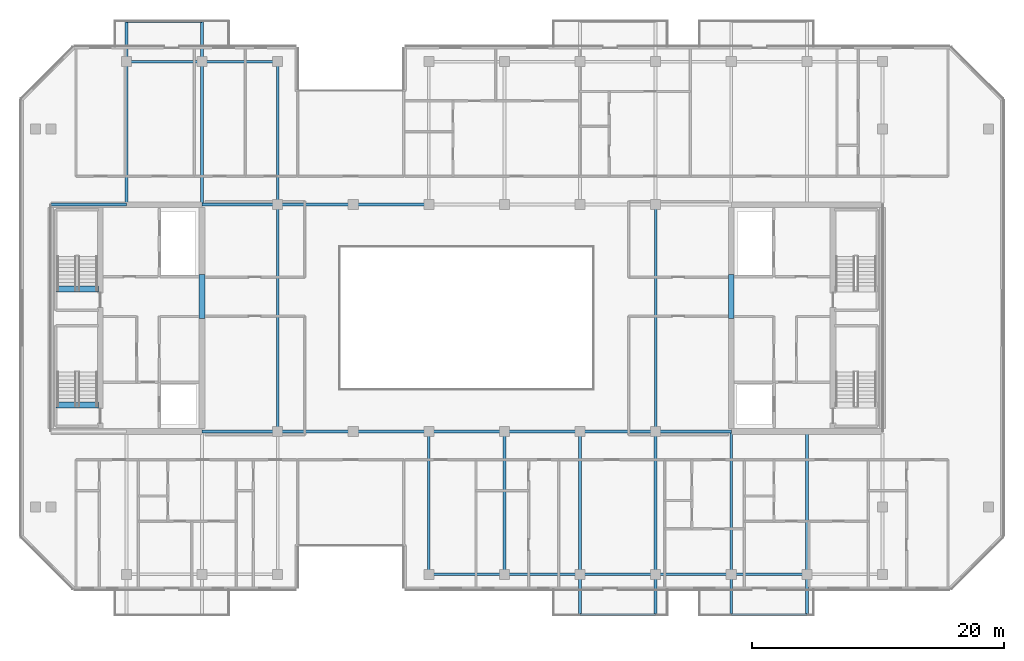
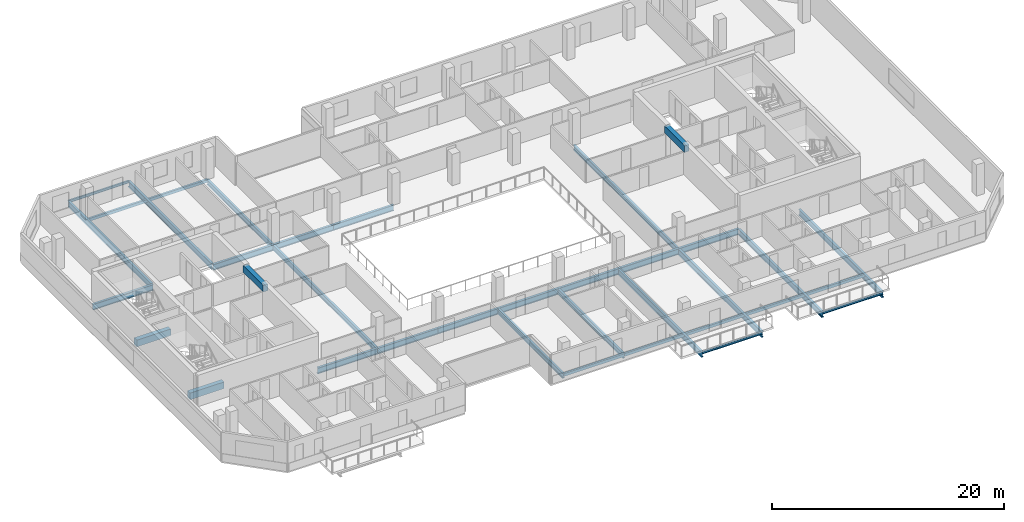
# One storey, part 3 of 16: 36 beams.
"""IFC4 building model written with IfcOpenShell, lengths in metres."""

from ifc_helpers import new_model, si_unit, direction, frame, origin, origin_2d, place, context, subcontext, project, spatial, rectangle, hollow_rectangle, i_section, extrude, material, material_profile, profile_set, type_object, element, save


model = new_model("IFC4")

# Units and contexts
model_context = context("Model", 3, precision=1e-05, world=origin(), true_north=direction((0.0, 1.0)))
body_context = subcontext(model_context, "Body", "Model", "MODEL_VIEW")
ifc_project = project(units=[si_unit("LENGTHUNIT", "METRE"), si_unit("AREAUNIT", "SQUARE_METRE"), si_unit("VOLUMEUNIT", "CUBIC_METRE"), si_unit("PLANEANGLEUNIT", "RADIAN"), si_unit("MASSUNIT", "GRAM", prefix="KILO")], contexts=[model_context])

# Site, building, storey
site_placement = place(None, origin())
site = spatial("IfcSite", under=ifc_project, at=site_placement, CompositionType="ELEMENT")
building_placement = place(site_placement, origin())
building = spatial("IfcBuilding", under=site, at=building_placement, Name="Tanjung Sevakor Pilgrim Tower", CompositionType="ELEMENT")
storey_placement = place(building_placement, frame((0.0, 0.0, 198.330078125)))
storey = spatial("IfcBuildingStorey", under=building, at=storey_placement, Name="L55", CompositionType="ELEMENT", Elevation=198.330078125)

# Beams
ifc_material_1 = material(Name="Steel S355J2", Category="steel")
ifc_material_profile_1 = material_profile(ifc_material_1, i_section(OverallWidth=0.22900390625, OverallDepth=0.6123046875, WebThickness=0.011962890625, FlangeThickness=0.01953125, FilletRadius=0.0126953125, at=origin_2d()))
ifc_profile_set_1 = profile_set([ifc_material_profile_1], Name="Steel S355J2")
beam_type_1 = type_object("IfcBeamType", Name="BM-B-G4-UB_610x229x125", PredefinedType="BEAM", material=ifc_profile_set_1)
for number, where, z_axis, x_axis, name in (
    (1, (36.0, 24.60009765625, -0.526123046875), (1.0, 0.0, 0.0), (0.0, 1.0, 0.0), "L55 Primary Floor Girder MAIN Y246-02"),
    (2, (42.0, 24.60009765625, -0.526123046875), (1.0, 0.0, 0.0), (0.0, 1.0, 0.0), "L55 Primary Floor Girder MAIN Y246-03"),
    (3, (48.0, 24.60009765625, -0.526123046875), (1.0, 0.0, 0.0), (0.0, 1.0, 0.0), "L55 Primary Floor Girder MAIN Y246-04"),
    (4, (54.0, 24.60009765625, -0.526123046875), (1.0, 0.0, 0.0), (0.0, 1.0, 0.0), "L55 Primary Floor Girder MAIN Y246-05"),
    (5, (60.0, 24.60009765625, -0.526123046875), (1.0, 0.0, 0.0), (0.0, 1.0, 0.0), "L55 Primary Floor Girder MAIN Y246-06"),
    (6, (66.0, 24.60009765625, -0.526123046875), (1.0, 0.0, 0.0), (0.0, 1.0, 0.0), "L55 Primary Floor Girder MAIN Y246-07"),
    (7, (72.0, 24.60009765625, -0.526123046875), (1.0, 0.0, 0.0), (0.0, 1.0, 0.0), "L55 Primary Floor Girder MAIN Y246-08"),
    (8, (24.0, 42.60009765625, -0.526123046875), (1.0, 0.0, 0.0), (0.0, 1.0, 0.0), "L55 Primary Floor Girder MAIN Y426-01"),
    (9, (36.0, 42.60009765625, -0.526123046875), (1.0, 0.0, 0.0), (0.0, 1.0, 0.0), "L55 Primary Floor Girder MAIN Y426-02"),
    (10, (42.0, 42.60009765625, -0.526123046875), (1.0, 0.0, 0.0), (0.0, 1.0, 0.0), "L55 Primary Floor Girder MAIN Y426-03"),
    (11, (48.0, 42.60009765625, -0.526123046875), (1.0, 0.0, 0.0), (0.0, 1.0, 0.0), "L55 Primary Floor Girder MAIN Y426-04"),
):
    element("IfcBeam", number, at=place(storey_placement, frame(where, z_axis=z_axis, x_axis=x_axis)), inside=storey, type_object=beam_type_1, Name=name, PredefinedType="BEAM", context=body_context, shape_type="SweptSolid", body=[
        extrude(i_section(OverallWidth=0.22900390625, OverallDepth=0.6123046875, WebThickness=0.011962890625, FlangeThickness=0.01953125, FilletRadius=0.0126953125, at=origin_2d()), origin(), (0.0, 0.0, 1.0), 6.0),
    ])
for number, where, z_axis, x_axis, name in (
    (12, (30.0, 42.714599609375, -0.526123046875), (0.0, 1.0, 0.0), (-1.0, 0.0, 0.0), "L55 Balcony Cantilever Beam MAIN-N1-1"),
    (13, (36.0, 42.714599609375, -0.526123046875), (0.0, 1.0, 0.0), (-1.0, 0.0, 0.0), "L55 Balcony Cantilever Beam MAIN-N1-2"),
):
    element("IfcBeam", number, at=place(storey_placement, frame(where, z_axis=z_axis, x_axis=x_axis)), inside=storey, type_object=beam_type_1, Name=name, PredefinedType="BEAM", context=body_context, shape_type="SweptSolid", body=[
        extrude(i_section(OverallWidth=0.22900390625, OverallDepth=0.6123046875, WebThickness=0.011962890625, FlangeThickness=0.01953125, FilletRadius=0.0126953125, at=origin_2d()), origin(), (0.0, 0.0, 1.0), 14.415283203125),
    ])
for number, where, z_axis, x_axis, name in (
    (14, (66.0, 24.60009765625, -0.526123046875), (0.0, -1.0, 0.0), (1.0, 0.0, 0.0), "L55 Balcony Cantilever Beam MAIN-S2-1"),
    (15, (72.0, 24.60009765625, -0.526123046875), (0.0, -1.0, 0.0), (1.0, 0.0, 0.0), "L55 Balcony Cantilever Beam MAIN-S2-2"),
):
    element("IfcBeam", number, at=place(storey_placement, frame(where, z_axis=z_axis, x_axis=x_axis)), inside=storey, type_object=beam_type_1, Name=name, PredefinedType="BEAM", context=body_context, shape_type="SweptSolid", body=[
        extrude(i_section(OverallWidth=0.22900390625, OverallDepth=0.6123046875, WebThickness=0.011962890625, FlangeThickness=0.01953125, FilletRadius=0.0126953125, at=origin_2d()), origin(), (0.0, 0.0, 1.0), 14.530029296875),
    ])
for number, where, z_axis, x_axis, name in (
    (16, (78.0, 24.485595703125, -0.526123046875), (0.0, -1.0, 0.0), (1.0, 0.0, 0.0), "L55 Balcony Cantilever Beam MAIN-S3-1"),
    (17, (84.0, 24.485595703125, -0.526123046875), (0.0, -1.0, 0.0), (1.0, 0.0, 0.0), "L55 Balcony Cantilever Beam MAIN-S3-2"),
):
    element("IfcBeam", number, at=place(storey_placement, frame(where, z_axis=z_axis, x_axis=x_axis)), inside=storey, type_object=beam_type_1, Name=name, PredefinedType="BEAM", context=body_context, shape_type="SweptSolid", body=[
        extrude(i_section(OverallWidth=0.22900390625, OverallDepth=0.6123046875, WebThickness=0.011962890625, FlangeThickness=0.01953125, FilletRadius=0.0126953125, at=origin_2d()), origin(), (0.0, 0.0, 1.0), 14.41552734375),
    ])
ifc_material_2 = material(Name="Steel S355J2", Category="steel")
ifc_material_profile_2 = material_profile(ifc_material_2, i_section(OverallWidth=0.2119140625, OverallDepth=0.54443359375, WebThickness=0.0126953125, FlangeThickness=0.021240234375, FilletRadius=0.0126953125, at=origin_2d()))
ifc_profile_set_2 = profile_set([ifc_material_profile_2], Name="Steel S355J2")
beam_type_2 = type_object("IfcBeamType", Name="BM-B-G5-UB_533x210x122", PredefinedType="BEAM", material=ifc_profile_set_2)
beam_1_placement = place(storey_placement, frame((42.0, 24.60009765625, -0.492431640625), z_axis=(0.0, 1.0, 0.0), x_axis=(-1.0, 0.0, 0.0)))
element("IfcBeam", 18, at=beam_1_placement, inside=storey, type_object=beam_type_2, Name="L55 MAIN Girder 002", PredefinedType="BEAM", context=body_context, shape_type="SweptSolid", body=[
    extrude(i_section(OverallWidth=0.2119140625, OverallDepth=0.54443359375, WebThickness=0.0126953125, FlangeThickness=0.021240234375, FilletRadius=0.0126953125, at=origin_2d()), origin(), (0.0, 0.0, 1.0), 18.0),
])
beam_2_placement = place(storey_placement, frame((42.0, 42.60009765625, -0.492431640625), z_axis=(0.0, 1.0, 0.0), x_axis=(-1.0, 0.0, 0.0)))
element("IfcBeam", 19, at=beam_2_placement, inside=storey, type_object=beam_type_2, Name="L55 MAIN Girder 003", PredefinedType="BEAM", context=body_context, shape_type="SweptSolid", body=[
    extrude(i_section(OverallWidth=0.2119140625, OverallDepth=0.54443359375, WebThickness=0.0126953125, FlangeThickness=0.021240234375, FilletRadius=0.0126953125, at=origin_2d()), origin(), (0.0, 0.0, 1.0), 11.349853515625),
])
for number, where, z_axis, x_axis, name in (
    (20, (54.0, 13.25, -0.492431640625), (0.0, 1.0, 0.0), (-1.0, 0.0, 0.0), "L55 MAIN Girder 004"),
    (21, (60.0, 13.25, -0.492431640625), (0.0, 1.0, 0.0), (-1.0, 0.0, 0.0), "L55 MAIN Girder 006"),
):
    element("IfcBeam", number, at=place(storey_placement, frame(where, z_axis=z_axis, x_axis=x_axis)), inside=storey, type_object=beam_type_2, Name=name, PredefinedType="BEAM", context=body_context, shape_type="SweptSolid", body=[
        extrude(i_section(OverallWidth=0.2119140625, OverallDepth=0.54443359375, WebThickness=0.0126953125, FlangeThickness=0.021240234375, FilletRadius=0.0126953125, at=origin_2d()), origin(), (0.0, 0.0, 1.0), 11.35009765625),
    ])
beam_3_placement = place(storey_placement, frame((72.0, 24.60009765625, -0.492431640625), z_axis=(0.0, 1.0, 0.0), x_axis=(-1.0, 0.0, 0.0)))
element("IfcBeam", 22, at=beam_3_placement, inside=storey, type_object=beam_type_2, Name="L55 MAIN Girder 008", PredefinedType="BEAM", context=body_context, shape_type="SweptSolid", body=[
    extrude(i_section(OverallWidth=0.2119140625, OverallDepth=0.54443359375, WebThickness=0.0126953125, FlangeThickness=0.021240234375, FilletRadius=0.0126953125, at=origin_2d()), origin(), (0.0, 0.0, 1.0), 18.0),
])
ifc_material_3 = material(Name="Steel S355J2", Category="steel")
ifc_material_profile_3 = material_profile(ifc_material_3, i_section(OverallWidth=0.146484375, OverallDepth=0.256103515625, WebThickness=0.00634765625, FlangeThickness=0.010986328125, FilletRadius=0.007568359375, at=origin_2d()))
ifc_profile_set_3 = profile_set([ifc_material_profile_3], Name="Steel S355J2")
beam_type_3 = type_object("IfcBeamType", Name="BM-B-J6-UB_254x146x37", PredefinedType="JOIST", material=ifc_profile_set_3)
for number, where, z_axis, x_axis, name in (
    (23, (30.0, 57.1298828125, -0.328125), (1.0, 0.0, 0.0), (0.0, 1.0, 0.0), "L55 Balcony Rim Tie MAIN-N1"),
    (24, (66.0, 10.070068359375, -0.328125), (1.0, 0.0, 0.0), (0.0, 1.0, 0.0), "L55 Balcony Rim Tie MAIN-S2"),
    (25, (78.0, 10.070068359375, -0.328125), (1.0, 0.0, 0.0), (0.0, 1.0, 0.0), "L55 Balcony Rim Tie MAIN-S3"),
):
    element("IfcBeam", number, at=place(storey_placement, frame(where, z_axis=z_axis, x_axis=x_axis)), inside=storey, type_object=beam_type_3, Name=name, PredefinedType="JOIST", context=body_context, shape_type="SweptSolid", body=[
        extrude(i_section(OverallWidth=0.146484375, OverallDepth=0.256103515625, WebThickness=0.00634765625, FlangeThickness=0.010986328125, FilletRadius=0.007568359375, at=origin_2d()), origin(), (0.0, 0.0, 1.0), 6.0),
    ])
ifc_material_4 = material(Name="Concrete C60/75", Category="concrete")
ifc_material_profile_4 = material_profile(ifc_material_4, rectangle(XDim=0.449951171875, YDim=0.699951171875, at=origin_2d()))
ifc_profile_set_4 = profile_set([ifc_material_profile_4], Name="Concrete C60/75")
beam_type_4 = type_object("IfcBeamType", Name="BM-B-LN3-RC-BM_450x700", PredefinedType="LINTEL", material=ifc_profile_set_4)
for number, where, z_axis, x_axis, name in (
    (26, (36.0, 33.550048828125, 2.72998046875), (0.0, 1.0, 0.0), (-1.0, 0.0, 0.0), "L55 W Core Coupling Lintel"),
    (27, (78.0, 33.550048828125, 2.72998046875), (0.0, 1.0, 0.0), (-1.0, 0.0, 0.0), "L55 E Core Coupling Lintel"),
):
    element("IfcBeam", number, at=place(storey_placement, frame(where, z_axis=z_axis, x_axis=x_axis)), inside=storey, type_object=beam_type_4, Name=name, PredefinedType="LINTEL", context=body_context, shape_type="SweptSolid", body=[
        extrude(rectangle(XDim=0.449951171875, YDim=0.699951171875, at=origin_2d()), origin(), (0.0, 0.0, 1.0), 3.5),
    ])
for number, where, z_axis, x_axis, name in (
    (28, (24.39990234375, 26.699951171875, -0.35009765625), (1.0, 0.0, 0.0), (0.0, 1.0, 0.0), "L55 TS-W1 Stair Threshold Beam"),
    (29, (24.39990234375, 35.89990234375, -0.35009765625), (1.0, 0.0, 0.0), (0.0, 1.0, 0.0), "L55 TS-W2 Stair Threshold Beam"),
):
    element("IfcBeam", number, at=place(storey_placement, frame(where, z_axis=z_axis, x_axis=x_axis)), inside=storey, type_object=beam_type_4, Name=name, PredefinedType="LINTEL", context=body_context, shape_type="SweptSolid", body=[
        extrude(rectangle(XDim=0.449951171875, YDim=0.699951171875, at=origin_2d()), origin(), (0.0, 0.0, 1.0), 3.400146484375),
    ])
ifc_material_5 = material(Name="Steel S355J2", Category="steel")
ifc_material_profile_5 = material_profile(ifc_material_5, hollow_rectangle(XDim=0.199951171875, YDim=0.300048828125, WallThickness=0.012451171875, at=origin_2d()))
ifc_profile_set_5 = profile_set([ifc_material_profile_5], Name="Steel S355J2")
beam_type_5 = type_object("IfcBeamType", Name="BM-B-SP3-RHS_300x200x12.5", PredefinedType="SPANDREL", material=ifc_profile_set_5)
for number, where, z_axis, x_axis, name in (
    (30, (30.0, 53.949951171875, -0.3701171875), (1.0, 0.0, 0.0), (0.0, 1.0, 0.0), "L55 Spandrel MAIN N-02"),
    (31, (36.0, 53.949951171875, -0.3701171875), (1.0, 0.0, 0.0), (0.0, 1.0, 0.0), "L55 Spandrel MAIN N-04"),
    (32, (54.0, 13.25, -0.3701171875), (1.0, 0.0, 0.0), (0.0, 1.0, 0.0), "L55 Spandrel MAIN S-05"),
    (33, (60.0, 13.25, -0.3701171875), (1.0, 0.0, 0.0), (0.0, 1.0, 0.0), "L55 Spandrel MAIN S-07"),
    (34, (66.0, 13.25, -0.3701171875), (1.0, 0.0, 0.0), (0.0, 1.0, 0.0), "L55 Spandrel MAIN S-09"),
    (35, (72.0, 13.25, -0.3701171875), (1.0, 0.0, 0.0), (0.0, 1.0, 0.0), "L55 Spandrel MAIN S-11"),
    (36, (78.0, 13.25, -0.3701171875), (1.0, 0.0, 0.0), (0.0, 1.0, 0.0), "L55 Spandrel MAIN S-13"),
):
    element("IfcBeam", number, at=place(storey_placement, frame(where, z_axis=z_axis, x_axis=x_axis)), inside=storey, type_object=beam_type_5, Name=name, PredefinedType="SPANDREL", context=body_context, shape_type="SweptSolid", body=[
        extrude(hollow_rectangle(XDim=0.199951171875, YDim=0.300048828125, WallThickness=0.012451171875, at=origin_2d()), origin(), (0.0, 0.0, 1.0), 6.0),
    ])

save(model, "model.ifc")
